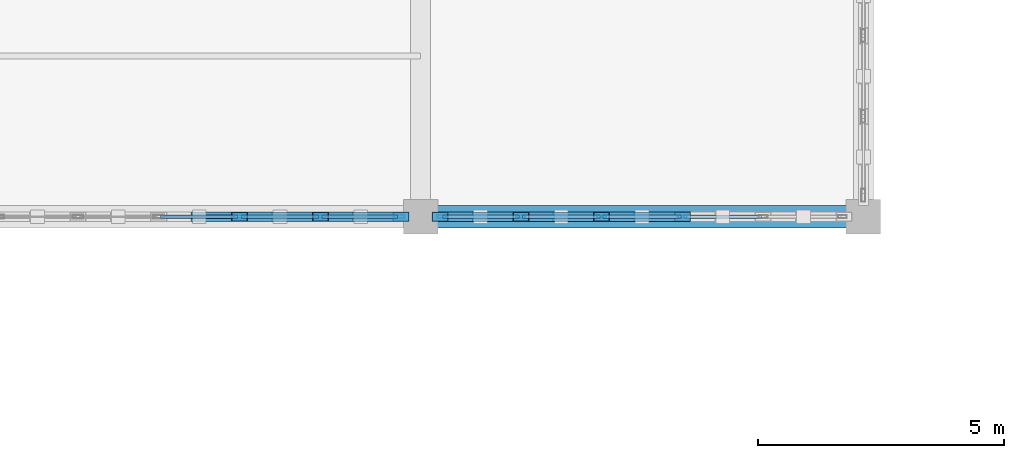
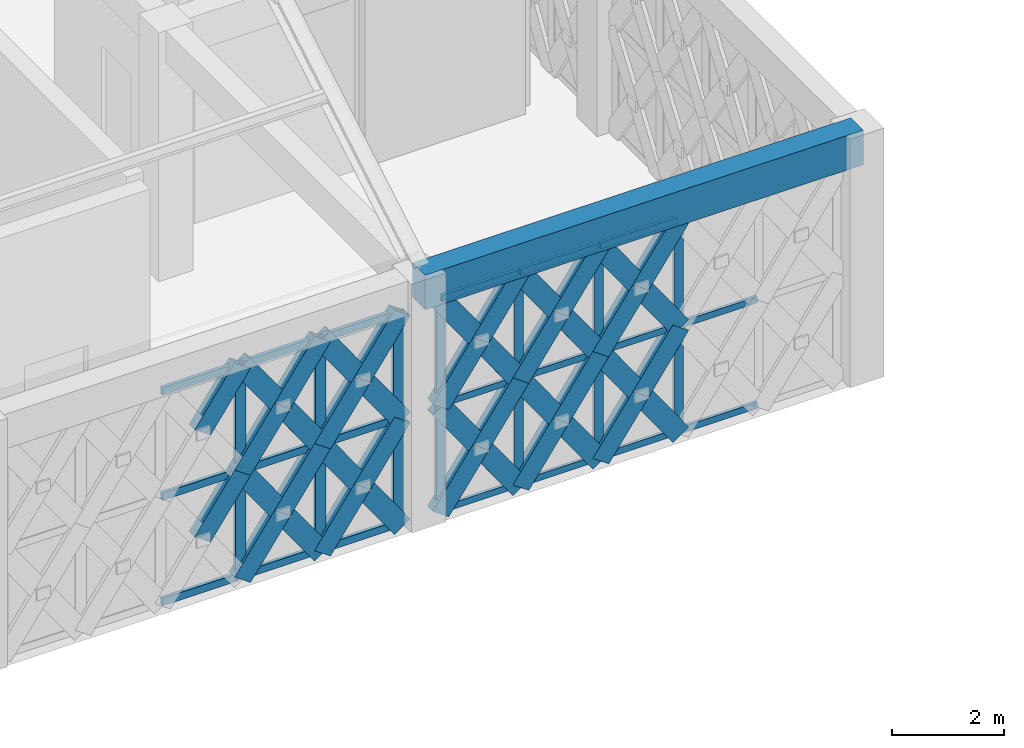
# One storey, part 45 of 72: 59 members, 1 beam, 2 elements without a shape of their own.
"""IFC4 building model written with IfcOpenShell, lengths in metres."""

import ifcopenshell
import ifcopenshell.guid

model = None  # the IFC model being written
_history = None  # IfcOwnerHistory: only IFC2X3 demands one
_inside = {}  # id of a spatial element -> (the spatial element, [elements in it])
_under = {}  # id of a project, library or spatial element -> (it, [spatial elements below it])
_declared = {}  # id of a project -> (the project, [libraries it declares])
_typed = {}  # id of a type object -> (the type object, [elements of that type])
_made_of = {}  # id of a material, layer set ... -> (it, [elements and type objects made of it])


def new_model(schema):
    """Start an empty IFC model of exactly this schema.

    Asked for "IFC4X3", IfcOpenShell would pick the latest addendum, in which some entities
    have other attributes; the version numbers below select the first issue.
    IFC2X3 requires an IfcOwnerHistory on every rooted entity: one is made here for all.
    """
    global model, _history
    if schema == "IFC4X3":
        model = ifcopenshell.file(schema_version=(4, 3, 0, 0))
    else:
        model = ifcopenshell.file(schema=schema)
    _inside.clear()
    _under.clear()
    _declared.clear()
    _typed.clear()
    _made_of.clear()
    _history = None
    if model.schema == "IFC2X3":
        org = make("IfcOrganization", Name="unknown")
        user = make(
            "IfcPersonAndOrganization",
            ThePerson=make("IfcPerson", FamilyName="unknown"),
            TheOrganization=org,
        )
        app = make(
            "IfcApplication",
            ApplicationDeveloper=org,
            Version="unknown",
            ApplicationFullName="unknown",
            ApplicationIdentifier="unknown",
        )
        _history = make(
            "IfcOwnerHistory",
            OwningUser=user,
            OwningApplication=app,
            ChangeAction="ADDED",
            CreationDate=0,
        )
    return model


def make(cls, **values):
    """One entity of the class cls with the attributes given. An attribute that is None is left unset."""
    return model.create_entity(
        cls, **{name: value for name, value in values.items() if value is not None}
    )


def rooted(cls, **values):
    """An entity with a GlobalId (a new one), such as an element, a storey or a relation."""
    return make(cls, GlobalId=ifcopenshell.guid.new(), OwnerHistory=_history, **values)


def si_unit(unit_type, name, prefix=None):
    """IfcSIUnit, for example si_unit("LENGTHUNIT", "METRE", prefix="MILLI")."""
    return make("IfcSIUnit", UnitType=unit_type, Prefix=prefix, Name=name)


def assignment(units):
    """IfcUnitAssignment: the units of a project."""
    return None if units is None else make("IfcUnitAssignment", Units=units)


def point(xyz):
    """IfcCartesianPoint."""
    return None if xyz is None else make("IfcCartesianPoint", Coordinates=xyz)


def direction(xyz):
    """IfcDirection."""
    return None if xyz is None else make("IfcDirection", DirectionRatios=xyz)


def frame(location, z_axis=None, x_axis=None):
    """IfcAxis2Placement3D, a coordinate frame: its origin and axes. An axis left out is left unset."""
    return make(
        "IfcAxis2Placement3D",
        Location=point(location),
        Axis=direction(z_axis),
        RefDirection=direction(x_axis),
    )


def frame_2d(location, x_axis=None):
    """IfcAxis2Placement2D, a coordinate frame in the plane: its origin and x axis."""
    return make(
        "IfcAxis2Placement2D", Location=point(location), RefDirection=direction(x_axis)
    )


def origin():
    """The frame at (0, 0, 0) with its axes left unset."""
    return frame((0.0, 0.0, 0.0))


def origin_2d():
    """The frame at (0, 0) in the plane with its x axis left unset."""
    return frame_2d((0.0, 0.0))


def place(relative_to, where):
    """IfcLocalPlacement: puts the frame where relative to a parent placement (None: the world)."""
    return make(
        "IfcLocalPlacement", PlacementRelTo=relative_to, RelativePlacement=where
    )


def context(
    kind, dimensions, precision=None, world=None, true_north=None, identifier=None
):
    """IfcGeometricRepresentationContext, for example the 3D "Model" context."""
    return make(
        "IfcGeometricRepresentationContext",
        ContextIdentifier=identifier,
        ContextType=kind,
        CoordinateSpaceDimension=dimensions,
        Precision=precision,
        WorldCoordinateSystem=world,
        TrueNorth=true_north,
    )


def subcontext(parent, identifier, kind, view, scale=None):
    """IfcGeometricRepresentationSubContext, for example "Body" below "Model"."""
    return make(
        "IfcGeometricRepresentationSubContext",
        ContextIdentifier=identifier,
        ContextType=kind,
        ParentContext=parent,
        TargetScale=scale,
        TargetView=view,
    )


def project(units=None, contexts=None):
    """IfcProject with its units and contexts."""
    return rooted(
        "IfcProject",
        Name="project",
        RepresentationContexts=contexts,
        UnitsInContext=assignment(units),
    )


def spatial(cls, under=None, at=None, **own):
    """A site, building, storey or space (cls), placed at a placement, below another one or the project."""
    s = rooted(cls, ObjectPlacement=at, **own)
    if under is not None:
        _under.setdefault(under.id(), (under, []))[1].append(s)
    return s


def profile(cls, at=None, kind="AREA", **sizes):
    """A parametric profile (cls). Its sizes go by their IFC names, for example OverallWidth=200.0."""
    return make(cls, ProfileType=kind, Position=at, **sizes)


def rectangle(**sizes):
    """IfcRectangleProfileDef."""
    return profile("IfcRectangleProfileDef", **sizes)


def hollow_rectangle(**sizes):
    """IfcRectangleHollowProfileDef."""
    return profile("IfcRectangleHollowProfileDef", **sizes)


def extrude(swept, where, along, depth):
    """IfcExtrudedAreaSolid: the profile swept, set in the frame where, extruded along a direction by depth."""
    return make(
        "IfcExtrudedAreaSolid",
        SweptArea=swept,
        Position=where,
        ExtrudedDirection=direction(along),
        Depth=depth,
    )


def shape(context_of_items, identifier, shape_type, items):
    """IfcShapeRepresentation: the items that make up one representation, for example the "Body"."""
    return make(
        "IfcShapeRepresentation",
        ContextOfItems=context_of_items,
        RepresentationIdentifier=identifier,
        RepresentationType=shape_type,
        Items=items,
    )


def material(Name=None, Category=None):
    """IfcMaterial."""
    return make("IfcMaterial", Name=Name, Category=Category)


def material_profile(
    of_material, cross_section, Name=None, Category=None, Priority=None
):
    """IfcMaterialProfile: a cross section and its material."""
    return make(
        "IfcMaterialProfile",
        Name=Name,
        Material=of_material,
        Profile=cross_section,
        Priority=Priority,
        Category=Category,
    )


def profile_set(profiles, Name=None, composite=None):
    """IfcMaterialProfileSet."""
    return make(
        "IfcMaterialProfileSet",
        Name=Name,
        MaterialProfiles=profiles,
        CompositeProfile=composite,
    )


def made_of(thing, what):
    """Note that an element or type object is made of a material, layer set ...; save() writes the relation."""
    if what is not None:
        _made_of.setdefault(what.id(), (what, []))[1].append(thing)
    return thing


def type_object(cls, material=None, **own):
    """A type object (cls), such as IfcWallType, which elements share."""
    return made_of(rooted(cls, **own), material)


def element(
    cls,
    number,
    at=None,
    inside=None,
    cuts=None,
    type_object=None,
    material=None,
    context=None,
    identifier="Body",
    shape_type=None,
    held_by="IfcProductDefinitionShape",
    body=None,
    shapes=None,
    **own,
):
    """One element of the class cls, such as IfcWall. Its Tag is "e" and its number.

    at: its placement. inside: the storey or other place that contains it. cuts: it is an
    opening in that element (IfcRelVoidsElement). A single representation is given by context,
    identifier, shape_type and body (its items); several are given by shapes. held_by: the class
    of the entity that holds the representations. save() writes the other relations.
    """
    e = rooted(cls, Tag="e%d" % number, ObjectPlacement=at, **own)
    if body is not None:
        shapes = [shape(context, identifier, shape_type, body)]
    if shapes is not None:
        e.Representation = make(held_by, Representations=shapes)
    if inside is not None:
        _inside.setdefault(inside.id(), (inside, []))[1].append(e)
    if cuts is not None:
        rooted(
            "IfcRelVoidsElement", RelatingBuildingElement=cuts, RelatedOpeningElement=e
        )
    if type_object is not None:
        _typed.setdefault(type_object.id(), (type_object, []))[1].append(e)
    return made_of(e, material)


def aggregate(whole, parts):
    """IfcRelAggregates: a whole, such as a stair, and the parts it consists of."""
    return rooted("IfcRelAggregates", RelatingObject=whole, RelatedObjects=parts)


def save(model, path):
    """Write the relations noted so far, then the file.

    IfcRelAggregates (storeys below a building ...), IfcRelContainedInSpatialStructure (elements
    in a storey), IfcRelDefinesByType, IfcRelAssociatesMaterial and IfcRelDeclares: one each for
    every whole, place, type object, material and project.
    """
    for whole, parts in _under.values():
        aggregate(whole, parts)
    for where, things in _inside.values():
        rooted(
            "IfcRelContainedInSpatialStructure",
            RelatedElements=things,
            RelatingStructure=where,
        )
    for kind, things in _typed.values():
        rooted("IfcRelDefinesByType", RelatedObjects=things, RelatingType=kind)
    for what, things in _made_of.values():
        rooted("IfcRelAssociatesMaterial", RelatedObjects=things, RelatingMaterial=what)
    for by, libraries in _declared.values():
        rooted("IfcRelDeclares", RelatingContext=by, RelatedDefinitions=libraries)
    model.write(path)


model = new_model("IFC4")

# Units and contexts
model_context = context("Model", 3, precision=1e-05, world=origin(), true_north=direction((0.0, 1.0)))
body_context = subcontext(model_context, "Body", "Model", "MODEL_VIEW")
ifc_project = project(units=[si_unit("LENGTHUNIT", "METRE"), si_unit("AREAUNIT", "SQUARE_METRE"), si_unit("VOLUMEUNIT", "CUBIC_METRE"), si_unit("PLANEANGLEUNIT", "RADIAN"), si_unit("MASSUNIT", "GRAM", prefix="KILO")], contexts=[model_context])

# Site, building, storey
site_placement = place(None, origin())
site = spatial("IfcSite", under=ifc_project, at=site_placement, CompositionType="ELEMENT")
building_placement = place(site_placement, origin())
building = spatial("IfcBuilding", under=site, at=building_placement, Name="Haizhuo Lancet Aquarium", CompositionType="ELEMENT")
storey_placement = place(building_placement, frame((0.0, 0.0, 21.60009765625)))
storey = spatial("IfcBuildingStorey", under=building, at=storey_placement, Name="L04", CompositionType="ELEMENT", Elevation=21.60009765625)

# Beam
ifc_material_1 = material(Name="Concrete C40/50", Category="concrete")
ifc_material_profile_1 = material_profile(ifc_material_1, rectangle(XDim=0.449951171875, YDim=0.75, at=origin_2d()), Name="RC-BM 450x750")
ifc_profile_set_1 = profile_set([ifc_material_profile_1], Name="Concrete C40/50")
beam_type = type_object("IfcBeamType", Name="BM-RC-450x750", PredefinedType="BEAM", material=ifc_profile_set_1)
beam_placement = place(storey_placement, frame((18.0, 36.0, 5.02490234375), z_axis=(1.0, 0.0, 0.0), x_axis=(0.0, 1.0, 0.0)))
element("IfcBeam", 1, at=beam_placement, inside=storey, type_object=beam_type, Name="L04 V5 primary girder BM-L04-V5-022", PredefinedType="BEAM", context=body_context, shape_type="SweptSolid", body=[
    extrude(rectangle(XDim=0.449951171875, YDim=0.75, at=origin_2d()), origin(), (0.0, 0.0, 1.0), 9.0),
])

# Curtain wall, members
ifc_material_2 = material(Name="Aluminium 6063-T6", Category="aluminium")
curtain_wall_type = type_object("IfcCurtainWallType", Name="CWD-8210x4650", PredefinedType="NOTDEFINED", material=ifc_material_2)
curtain_wall_1_placement = place(storey_placement, origin())
curtain_wall_1 = element("IfcCurtainWall", 2, at=curtain_wall_1_placement, inside=storey, type_object=curtain_wall_type, Name="L04 curtain wall CW-V5-L04-184", PredefinedType="NOTDEFINED")
ifc_material_profile_2 = material_profile(ifc_material_2, hollow_rectangle(XDim=0.06494140625, YDim=0.179931640625, WallThickness=0.00390625, at=origin_2d()), Name="ALU-M 65x180x4")
ifc_profile_set_2 = profile_set([ifc_material_profile_2], Name="Aluminium 6063-T6")
member_type_1 = type_object("IfcMemberType", Name="CW-MUL-1", PredefinedType="MULLION", material=ifc_profile_set_2)
member_1_placement = place(storey_placement, frame((23.321044921875, 36.0, 0.0), z_axis=(0.0, 0.0, 1.0), x_axis=(0.0, -1.0, 0.0)))
member_1 = element("IfcMember", 3, at=member_1_placement, type_object=member_type_1, Name="CWD-82x46 mullion 3", PredefinedType="MULLION", context=body_context, shape_type="SweptSolid", body=[
    extrude(hollow_rectangle(XDim=0.06494140625, YDim=0.179931640625, WallThickness=0.00390625, at=origin_2d()), origin(), (0.0, 0.0, 1.0), 4.64990234375),
])
member_2_placement = place(storey_placement, frame((21.678955078125, 36.0, 0.0), z_axis=(0.0, 0.0, 1.0), x_axis=(0.0, -1.0, 0.0)))
member_2 = element("IfcMember", 4, at=member_2_placement, type_object=member_type_1, Name="CWD-82x46 mullion 4", PredefinedType="MULLION", context=body_context, shape_type="SweptSolid", body=[
    extrude(hollow_rectangle(XDim=0.06494140625, YDim=0.179931640625, WallThickness=0.00390625, at=origin_2d()), origin(), (0.0, 0.0, 1.0), 4.64990234375),
])
member_3_placement = place(storey_placement, frame((20.037109375, 36.0, 0.0), z_axis=(0.0, 0.0, 1.0), x_axis=(0.0, -1.0, 0.0)))
member_3 = element("IfcMember", 5, at=member_3_placement, type_object=member_type_1, Name="CWD-82x46 mullion 5", PredefinedType="MULLION", context=body_context, shape_type="SweptSolid", body=[
    extrude(hollow_rectangle(XDim=0.06494140625, YDim=0.179931640625, WallThickness=0.00390625, at=origin_2d()), origin(), (0.0, 0.0, 1.0), 4.64990234375),
])
member_4_placement = place(storey_placement, frame((18.427978515625, 36.0, 0.0), z_axis=(0.0, 0.0, 1.0), x_axis=(0.0, -1.0, 0.0)))
member_4 = element("IfcMember", 6, at=member_4_placement, type_object=member_type_1, Name="CWD-82x46 mullion 6", PredefinedType="MULLION", context=body_context, shape_type="SweptSolid", body=[
    extrude(hollow_rectangle(XDim=0.06494140625, YDim=0.179931640625, WallThickness=0.00390625, at=origin_2d()), origin(), (0.0, 0.0, 1.0), 4.64990234375),
])

curtain_wall_2_placement = place(storey_placement, origin())
curtain_wall_2 = element("IfcCurtainWall", 7, at=curtain_wall_2_placement, inside=storey, type_object=curtain_wall_type, Name="L04 curtain wall CW-V5-L04-185", PredefinedType="NOTDEFINED")
ifc_material_profile_3 = material_profile(ifc_material_2, hollow_rectangle(XDim=0.074951171875, YDim=0.219970703125, WallThickness=0.0048828125, at=origin_2d()), Name="ALU-M 75x220x5")
ifc_profile_set_3 = profile_set([ifc_material_profile_3], Name="Aluminium 6063-T6")
member_type_2 = type_object("IfcMemberType", Name="CW-MUL-2", PredefinedType="MULLION", material=ifc_profile_set_3)
member_5_placement = place(storey_placement, frame((17.56689453125, 36.0, 0.0), z_axis=(0.0, 0.0, 1.0), x_axis=(0.0, -1.0, 0.0)))
member_5 = element("IfcMember", 8, at=member_5_placement, type_object=member_type_2, Name="CWD-82x46 mullion 1", PredefinedType="MULLION", context=body_context, shape_type="SweptSolid", body=[
    extrude(hollow_rectangle(XDim=0.074951171875, YDim=0.219970703125, WallThickness=0.0048828125, at=origin_2d()), origin(), (0.0, 0.0, 1.0), 4.64990234375),
])
member_6_placement = place(storey_placement, frame((15.962890625, 36.0, 0.0), z_axis=(0.0, 0.0, 1.0), x_axis=(0.0, -1.0, 0.0)))
member_6 = element("IfcMember", 9, at=member_6_placement, type_object=member_type_2, Name="CWD-82x46 mullion 2", PredefinedType="MULLION", context=body_context, shape_type="SweptSolid", body=[
    extrude(hollow_rectangle(XDim=0.074951171875, YDim=0.219970703125, WallThickness=0.0048828125, at=origin_2d()), origin(), (0.0, 0.0, 1.0), 4.64990234375),
])
member_7_placement = place(storey_placement, frame((14.321044921875, 36.0, 0.0), z_axis=(0.0, 0.0, 1.0), x_axis=(0.0, -1.0, 0.0)))
member_7 = element("IfcMember", 10, at=member_7_placement, type_object=member_type_2, Name="CWD-82x46 mullion 3", PredefinedType="MULLION", context=body_context, shape_type="SweptSolid", body=[
    extrude(hollow_rectangle(XDim=0.074951171875, YDim=0.219970703125, WallThickness=0.0048828125, at=origin_2d()), origin(), (0.0, 0.0, 1.0), 4.64990234375),
])

# Member
ifc_material_profile_4 = material_profile(ifc_material_2, hollow_rectangle(XDim=0.06494140625, YDim=0.139892578125, WallThickness=0.00390625, at=origin_2d()), Name="ALU-T 65x140x4")
ifc_profile_set_4 = profile_set([ifc_material_profile_4], Name="Aluminium 6063-T6")
member_type_3 = type_object("IfcMemberType", Name="CW-TRN-1", PredefinedType="NOTDEFINED", material=ifc_profile_set_4)
member_8_placement = place(storey_placement, frame((24.930908203125, 36.0, 0.032958984375), z_axis=(-1.0, 0.0, 0.0), x_axis=(0.0, -1.0, 0.0)))
member_8 = element("IfcMember", 11, at=member_8_placement, type_object=member_type_3, Name="CWD-82x46 transom 2.1", ObjectType="TRANSOM", PredefinedType="USERDEFINED", context=body_context, shape_type="SweptSolid", body=[
    extrude(hollow_rectangle(XDim=0.06494140625, YDim=0.139892578125, WallThickness=0.00390625, at=origin_2d()), origin(), (0.0, 0.0, 1.0), 1.576904296875),
])

member_9_placement = place(storey_placement, frame((24.930908203125, 36.0, 2.324951171875), z_axis=(-1.0, 0.0, 0.0), x_axis=(0.0, -1.0, 0.0)))
member_9 = element("IfcMember", 12, at=member_9_placement, type_object=member_type_3, Name="CWD-82x46 transom 2.2", ObjectType="TRANSOM", PredefinedType="USERDEFINED", context=body_context, shape_type="SweptSolid", body=[
    extrude(hollow_rectangle(XDim=0.06494140625, YDim=0.139892578125, WallThickness=0.00390625, at=origin_2d()), origin(), (0.0, 0.0, 1.0), 1.576904296875),
])

member_10_placement = place(storey_placement, frame((23.2880859375, 36.0, 0.032958984375), z_axis=(-1.0, 0.0, 0.0), x_axis=(0.0, -1.0, 0.0)))
member_10 = element("IfcMember", 13, at=member_10_placement, type_object=member_type_3, Name="CWD-82x46 transom 3.1", ObjectType="TRANSOM", PredefinedType="USERDEFINED", context=body_context, shape_type="SweptSolid", body=[
    extrude(hollow_rectangle(XDim=0.06494140625, YDim=0.139892578125, WallThickness=0.00390625, at=origin_2d()), origin(), (0.0, 0.0, 1.0), 1.576171875),
])

member_11_placement = place(storey_placement, frame((23.2880859375, 36.0, 2.324951171875), z_axis=(-1.0, 0.0, 0.0), x_axis=(0.0, -1.0, 0.0)))
member_11 = element("IfcMember", 14, at=member_11_placement, type_object=member_type_3, Name="CWD-82x46 transom 3.2", ObjectType="TRANSOM", PredefinedType="USERDEFINED", context=body_context, shape_type="SweptSolid", body=[
    extrude(hollow_rectangle(XDim=0.06494140625, YDim=0.139892578125, WallThickness=0.00390625, at=origin_2d()), origin(), (0.0, 0.0, 1.0), 1.576171875),
])

member_12_placement = place(storey_placement, frame((23.2880859375, 36.0, 4.617919921875), z_axis=(-1.0, 0.0, 0.0), x_axis=(0.0, -1.0, 0.0)))
member_12 = element("IfcMember", 15, at=member_12_placement, type_object=member_type_3, Name="CWD-82x46 transom 3.3", ObjectType="TRANSOM", PredefinedType="USERDEFINED", context=body_context, shape_type="SweptSolid", body=[
    extrude(hollow_rectangle(XDim=0.06494140625, YDim=0.139892578125, WallThickness=0.00390625, at=origin_2d()), origin(), (0.0, 0.0, 1.0), 1.576171875),
])

member_13_placement = place(storey_placement, frame((21.64599609375, 36.0, 0.032958984375), z_axis=(-1.0, 0.0, 0.0), x_axis=(0.0, -1.0, 0.0)))
member_13 = element("IfcMember", 16, at=member_13_placement, type_object=member_type_3, Name="CWD-82x46 transom 4.1", ObjectType="TRANSOM", PredefinedType="USERDEFINED", context=body_context, shape_type="SweptSolid", body=[
    extrude(hollow_rectangle(XDim=0.06494140625, YDim=0.139892578125, WallThickness=0.00390625, at=origin_2d()), origin(), (0.0, 0.0, 1.0), 1.576904296875),
])

member_14_placement = place(storey_placement, frame((21.64599609375, 36.0, 2.324951171875), z_axis=(-1.0, 0.0, 0.0), x_axis=(0.0, -1.0, 0.0)))
member_14 = element("IfcMember", 17, at=member_14_placement, type_object=member_type_3, Name="CWD-82x46 transom 4.2", ObjectType="TRANSOM", PredefinedType="USERDEFINED", context=body_context, shape_type="SweptSolid", body=[
    extrude(hollow_rectangle(XDim=0.06494140625, YDim=0.139892578125, WallThickness=0.00390625, at=origin_2d()), origin(), (0.0, 0.0, 1.0), 1.576904296875),
])

member_15_placement = place(storey_placement, frame((21.64599609375, 36.0, 4.617919921875), z_axis=(-1.0, 0.0, 0.0), x_axis=(0.0, -1.0, 0.0)))
member_15 = element("IfcMember", 18, at=member_15_placement, type_object=member_type_3, Name="CWD-82x46 transom 4.3", ObjectType="TRANSOM", PredefinedType="USERDEFINED", context=body_context, shape_type="SweptSolid", body=[
    extrude(hollow_rectangle(XDim=0.06494140625, YDim=0.139892578125, WallThickness=0.00390625, at=origin_2d()), origin(), (0.0, 0.0, 1.0), 1.576904296875),
])

member_16_placement = place(storey_placement, frame((20.0048828125, 36.0, 0.032958984375), z_axis=(-1.0, 0.0, 0.0), x_axis=(0.0, -1.0, 0.0)))
member_16 = element("IfcMember", 19, at=member_16_placement, type_object=member_type_3, Name="CWD-82x46 transom 5.1", ObjectType="TRANSOM", PredefinedType="USERDEFINED", context=body_context, shape_type="SweptSolid", body=[
    extrude(hollow_rectangle(XDim=0.06494140625, YDim=0.139892578125, WallThickness=0.00390625, at=origin_2d()), origin(), (0.0, 0.0, 1.0), 1.544921875),
])

member_17_placement = place(storey_placement, frame((20.0048828125, 36.0, 2.324951171875), z_axis=(-1.0, 0.0, 0.0), x_axis=(0.0, -1.0, 0.0)))
member_17 = element("IfcMember", 20, at=member_17_placement, type_object=member_type_3, Name="CWD-82x46 transom 5.2", ObjectType="TRANSOM", PredefinedType="USERDEFINED", context=body_context, shape_type="SweptSolid", body=[
    extrude(hollow_rectangle(XDim=0.06494140625, YDim=0.139892578125, WallThickness=0.00390625, at=origin_2d()), origin(), (0.0, 0.0, 1.0), 1.544921875),
])

member_18_placement = place(storey_placement, frame((20.0048828125, 36.0, 4.617919921875), z_axis=(-1.0, 0.0, 0.0), x_axis=(0.0, -1.0, 0.0)))
member_18 = element("IfcMember", 21, at=member_18_placement, type_object=member_type_3, Name="CWD-82x46 transom 5.3", ObjectType="TRANSOM", PredefinedType="USERDEFINED", context=body_context, shape_type="SweptSolid", body=[
    extrude(hollow_rectangle(XDim=0.06494140625, YDim=0.139892578125, WallThickness=0.00390625, at=origin_2d()), origin(), (0.0, 0.0, 1.0), 1.544921875),
])

aggregate(curtain_wall_1, [member_1, member_2, member_3, member_4, member_8, member_9, member_10, member_11, member_12, member_13, member_14, member_15, member_16, member_17, member_18])

ifc_material_profile_5 = material_profile(ifc_material_2, hollow_rectangle(XDim=0.074951171875, YDim=0.159912109375, WallThickness=0.00390625, at=origin_2d()), Name="ALU-T 75x160x4")
ifc_profile_set_5 = profile_set([ifc_material_profile_5], Name="Aluminium 6063-T6")
member_type_4 = type_object("IfcMemberType", Name="CW-TRN-2", PredefinedType="NOTDEFINED", material=ifc_profile_set_5)
member_19_placement = place(storey_placement, frame((17.530029296875, 36.0, 0.037841796875), z_axis=(-1.0, 0.0, 0.0), x_axis=(0.0, -1.0, 0.0)))
member_19 = element("IfcMember", 22, at=member_19_placement, type_object=member_type_4, Name="CWD-82x46 transom 1.1", ObjectType="TRANSOM", PredefinedType="USERDEFINED", context=body_context, shape_type="SweptSolid", body=[
    extrude(hollow_rectangle(XDim=0.074951171875, YDim=0.159912109375, WallThickness=0.00390625, at=origin_2d()), origin(), (0.0, 0.0, 1.0), 1.530029296875),
])

member_20_placement = place(storey_placement, frame((17.530029296875, 36.0, 2.324951171875), z_axis=(-1.0, 0.0, 0.0), x_axis=(0.0, -1.0, 0.0)))
member_20 = element("IfcMember", 23, at=member_20_placement, type_object=member_type_4, Name="CWD-82x46 transom 1.2", ObjectType="TRANSOM", PredefinedType="USERDEFINED", context=body_context, shape_type="SweptSolid", body=[
    extrude(hollow_rectangle(XDim=0.074951171875, YDim=0.159912109375, WallThickness=0.00390625, at=origin_2d()), origin(), (0.0, 0.0, 1.0), 1.530029296875),
])

member_21_placement = place(storey_placement, frame((17.530029296875, 36.0, 4.61181640625), z_axis=(-1.0, 0.0, 0.0), x_axis=(0.0, -1.0, 0.0)))
member_21 = element("IfcMember", 24, at=member_21_placement, type_object=member_type_4, Name="CWD-82x46 transom 1.3", ObjectType="TRANSOM", PredefinedType="USERDEFINED", context=body_context, shape_type="SweptSolid", body=[
    extrude(hollow_rectangle(XDim=0.074951171875, YDim=0.159912109375, WallThickness=0.00390625, at=origin_2d()), origin(), (0.0, 0.0, 1.0), 1.530029296875),
])

member_22_placement = place(storey_placement, frame((15.925048828125, 36.0, 0.037841796875), z_axis=(-1.0, 0.0, 0.0), x_axis=(0.0, -1.0, 0.0)))
member_22 = element("IfcMember", 25, at=member_22_placement, type_object=member_type_4, Name="CWD-82x46 transom 2.1", ObjectType="TRANSOM", PredefinedType="USERDEFINED", context=body_context, shape_type="SweptSolid", body=[
    extrude(hollow_rectangle(XDim=0.074951171875, YDim=0.159912109375, WallThickness=0.00390625, at=origin_2d()), origin(), (0.0, 0.0, 1.0), 1.567138671875),
])

member_23_placement = place(storey_placement, frame((15.925048828125, 36.0, 2.324951171875), z_axis=(-1.0, 0.0, 0.0), x_axis=(0.0, -1.0, 0.0)))
member_23 = element("IfcMember", 26, at=member_23_placement, type_object=member_type_4, Name="CWD-82x46 transom 2.2", ObjectType="TRANSOM", PredefinedType="USERDEFINED", context=body_context, shape_type="SweptSolid", body=[
    extrude(hollow_rectangle(XDim=0.074951171875, YDim=0.159912109375, WallThickness=0.00390625, at=origin_2d()), origin(), (0.0, 0.0, 1.0), 1.567138671875),
])

member_24_placement = place(storey_placement, frame((15.925048828125, 36.0, 4.61181640625), z_axis=(-1.0, 0.0, 0.0), x_axis=(0.0, -1.0, 0.0)))
member_24 = element("IfcMember", 27, at=member_24_placement, type_object=member_type_4, Name="CWD-82x46 transom 2.3", ObjectType="TRANSOM", PredefinedType="USERDEFINED", context=body_context, shape_type="SweptSolid", body=[
    extrude(hollow_rectangle(XDim=0.074951171875, YDim=0.159912109375, WallThickness=0.00390625, at=origin_2d()), origin(), (0.0, 0.0, 1.0), 1.567138671875),
])

member_25_placement = place(storey_placement, frame((14.283935546875, 36.0, 0.037841796875), z_axis=(-1.0, 0.0, 0.0), x_axis=(0.0, -1.0, 0.0)))
member_25 = element("IfcMember", 28, at=member_25_placement, type_object=member_type_4, Name="CWD-82x46 transom 3.1", ObjectType="TRANSOM", PredefinedType="USERDEFINED", context=body_context, shape_type="SweptSolid", body=[
    extrude(hollow_rectangle(XDim=0.074951171875, YDim=0.159912109375, WallThickness=0.00390625, at=origin_2d()), origin(), (0.0, 0.0, 1.0), 1.56787109375),
])

member_26_placement = place(storey_placement, frame((14.283935546875, 36.0, 2.324951171875), z_axis=(-1.0, 0.0, 0.0), x_axis=(0.0, -1.0, 0.0)))
member_26 = element("IfcMember", 29, at=member_26_placement, type_object=member_type_4, Name="CWD-82x46 transom 3.2", ObjectType="TRANSOM", PredefinedType="USERDEFINED", context=body_context, shape_type="SweptSolid", body=[
    extrude(hollow_rectangle(XDim=0.074951171875, YDim=0.159912109375, WallThickness=0.00390625, at=origin_2d()), origin(), (0.0, 0.0, 1.0), 1.56787109375),
])

member_27_placement = place(storey_placement, frame((14.283935546875, 36.0, 4.61181640625), z_axis=(-1.0, 0.0, 0.0), x_axis=(0.0, -1.0, 0.0)))
member_27 = element("IfcMember", 30, at=member_27_placement, type_object=member_type_4, Name="CWD-82x46 transom 3.3", ObjectType="TRANSOM", PredefinedType="USERDEFINED", context=body_context, shape_type="SweptSolid", body=[
    extrude(hollow_rectangle(XDim=0.074951171875, YDim=0.159912109375, WallThickness=0.00390625, at=origin_2d()), origin(), (0.0, 0.0, 1.0), 1.56787109375),
])

aggregate(curtain_wall_2, [member_5, member_6, member_7, member_19, member_20, member_21, member_22, member_23, member_24, member_25, member_26, member_27])

# Members
ifc_material_3 = material(Name="Steel S355", Category="steel")
ifc_material_profile_6 = material_profile(ifc_material_3, hollow_rectangle(XDim=0.199951171875, YDim=0.39990234375, WallThickness=0.011962890625, at=origin_2d()), Name="RHS 200x400x12")
ifc_profile_set_6 = profile_set([ifc_material_profile_6], Name="Steel S355")
member_type_5 = type_object("IfcMemberType", Name="MEM-LB-RHS200x400", PredefinedType="BRACE", material=ifc_profile_set_6)
member_28_placement = place(storey_placement, frame((23.321044921875, 36.0, 0.0), z_axis=(-0.576905431865, 0.0, 0.816810946722), x_axis=(0.0, -1.0, 0.0)))
element("IfcMember", 31, at=member_28_placement, inside=storey, type_object=member_type_5, Name="Gothic lancet continuous diagonal brace CW-V5-L04-184 5A", PredefinedType="BRACE", context=body_context, shape_type="SweptSolid", body=[
    extrude(hollow_rectangle(XDim=0.199951171875, YDim=0.39990234375, WallThickness=0.011962890625, at=origin_2d()), origin(), (0.0, 0.0, 1.0), 2.846435546875),
])
member_29_placement = place(storey_placement, frame((21.678955078125, 36.0, 0.0), z_axis=(0.576784197237, 0.0, 0.816896560048), x_axis=(0.0, 1.0, 0.0)))
element("IfcMember", 32, at=member_29_placement, inside=storey, type_object=member_type_5, Name="Gothic lancet split diagonal brace CW-V5-L04-184 5B1", PredefinedType="BRACE", context=body_context, shape_type="SweptSolid", body=[
    extrude(hollow_rectangle(XDim=0.199951171875, YDim=0.39990234375, WallThickness=0.011962890625, at=origin_2d()), origin(), (0.0, 0.0, 1.0), 1.423583984375),
])
member_30_placement = place(storey_placement, frame((22.5, 36.0, 1.162841796875), z_axis=(0.57702670475, 0.0, 0.816725279396), x_axis=(0.0, 1.0, 0.0)))
element("IfcMember", 33, at=member_30_placement, inside=storey, type_object=member_type_5, Name="Gothic lancet split diagonal brace CW-V5-L04-184 5B2", PredefinedType="BRACE", context=body_context, shape_type="SweptSolid", body=[
    extrude(hollow_rectangle(XDim=0.199951171875, YDim=0.39990234375, WallThickness=0.011962890625, at=origin_2d()), origin(), (0.0, 0.0, 1.0), 1.4228515625),
])
member_31_placement = place(storey_placement, frame((23.321044921875, 36.0, 2.324951171875), z_axis=(-0.576905431865, 0.0, 0.816810946722), x_axis=(0.0, -1.0, 0.0)))
element("IfcMember", 34, at=member_31_placement, inside=storey, type_object=member_type_5, Name="Gothic lancet continuous diagonal brace CW-V5-L04-184 6A", PredefinedType="BRACE", context=body_context, shape_type="SweptSolid", body=[
    extrude(hollow_rectangle(XDim=0.199951171875, YDim=0.39990234375, WallThickness=0.011962890625, at=origin_2d()), origin(), (0.0, 0.0, 1.0), 2.846435546875),
])
member_32_placement = place(storey_placement, frame((21.678955078125, 36.0, 2.324951171875), z_axis=(0.577107574598, 0.0, 0.816668137827), x_axis=(0.0, 1.0, 0.0)))
element("IfcMember", 35, at=member_32_placement, inside=storey, type_object=member_type_5, Name="Gothic lancet split diagonal brace CW-V5-L04-184 6B1", PredefinedType="BRACE", context=body_context, shape_type="SweptSolid", body=[
    extrude(hollow_rectangle(XDim=0.199951171875, YDim=0.39990234375, WallThickness=0.011962890625, at=origin_2d()), origin(), (0.0, 0.0, 1.0), 1.422607421875),
])
member_33_placement = place(storey_placement, frame((22.5, 36.0, 3.48681640625), z_axis=(0.576703395402, 0.0, 0.816953605618), x_axis=(0.0, 1.0, 0.0)))
element("IfcMember", 36, at=member_33_placement, inside=storey, type_object=member_type_5, Name="Gothic lancet split diagonal brace CW-V5-L04-184 6B2", PredefinedType="BRACE", context=body_context, shape_type="SweptSolid", body=[
    extrude(hollow_rectangle(XDim=0.199951171875, YDim=0.39990234375, WallThickness=0.011962890625, at=origin_2d()), origin(), (0.0, 0.0, 1.0), 1.423583984375),
])
member_34_placement = place(storey_placement, frame((21.678955078125, 36.0, 0.0), z_axis=(-0.57684820195, 0.0, 0.816851364635), x_axis=(0.0, -1.0, 0.0)))
element("IfcMember", 37, at=member_34_placement, inside=storey, type_object=member_type_5, Name="Gothic lancet continuous diagonal brace CW-V5-L04-184 7A", PredefinedType="BRACE", context=body_context, shape_type="SweptSolid", body=[
    extrude(hollow_rectangle(XDim=0.199951171875, YDim=0.39990234375, WallThickness=0.011962890625, at=origin_2d()), origin(), (0.0, 0.0, 1.0), 2.84619140625),
])
member_35_placement = place(storey_placement, frame((20.037109375, 36.0, 0.0), z_axis=(0.576669728982, 0.0, 0.816977370357), x_axis=(0.0, 1.0, 0.0)))
element("IfcMember", 38, at=member_35_placement, inside=storey, type_object=member_type_5, Name="Gothic lancet split diagonal brace CW-V5-L04-184 7B1", PredefinedType="BRACE", context=body_context, shape_type="SweptSolid", body=[
    extrude(hollow_rectangle(XDim=0.199951171875, YDim=0.39990234375, WallThickness=0.011962890625, at=origin_2d()), origin(), (0.0, 0.0, 1.0), 1.42333984375),
])
member_36_placement = place(storey_placement, frame((20.85791015625, 36.0, 1.162841796875), z_axis=(0.57702670475, 0.0, 0.816725279396), x_axis=(0.0, 1.0, 0.0)))
element("IfcMember", 39, at=member_36_placement, inside=storey, type_object=member_type_5, Name="Gothic lancet split diagonal brace CW-V5-L04-184 7B2", PredefinedType="BRACE", context=body_context, shape_type="SweptSolid", body=[
    extrude(hollow_rectangle(XDim=0.199951171875, YDim=0.39990234375, WallThickness=0.011962890625, at=origin_2d()), origin(), (0.0, 0.0, 1.0), 1.4228515625),
])
member_37_placement = place(storey_placement, frame((21.678955078125, 36.0, 2.324951171875), z_axis=(-0.57684820195, 0.0, 0.816851364635), x_axis=(0.0, -1.0, 0.0)))
element("IfcMember", 40, at=member_37_placement, inside=storey, type_object=member_type_5, Name="Gothic lancet continuous diagonal brace CW-V5-L04-184 8A", PredefinedType="BRACE", context=body_context, shape_type="SweptSolid", body=[
    extrude(hollow_rectangle(XDim=0.199951171875, YDim=0.39990234375, WallThickness=0.011962890625, at=origin_2d()), origin(), (0.0, 0.0, 1.0), 2.84619140625),
])
member_38_placement = place(storey_placement, frame((20.037109375, 36.0, 2.324951171875), z_axis=(0.576993106189, 0.0, 0.816749016167), x_axis=(0.0, 1.0, 0.0)))
element("IfcMember", 41, at=member_38_placement, inside=storey, type_object=member_type_5, Name="Gothic lancet split diagonal brace CW-V5-L04-184 8B1", PredefinedType="BRACE", context=body_context, shape_type="SweptSolid", body=[
    extrude(hollow_rectangle(XDim=0.199951171875, YDim=0.39990234375, WallThickness=0.011962890625, at=origin_2d()), origin(), (0.0, 0.0, 1.0), 1.422607421875),
])
member_39_placement = place(storey_placement, frame((20.85791015625, 36.0, 3.48681640625), z_axis=(0.576703395402, 0.0, 0.816953605618), x_axis=(0.0, 1.0, 0.0)))
element("IfcMember", 42, at=member_39_placement, inside=storey, type_object=member_type_5, Name="Gothic lancet split diagonal brace CW-V5-L04-184 8B2", PredefinedType="BRACE", context=body_context, shape_type="SweptSolid", body=[
    extrude(hollow_rectangle(XDim=0.199951171875, YDim=0.39990234375, WallThickness=0.011962890625, at=origin_2d()), origin(), (0.0, 0.0, 1.0), 1.423583984375),
])
member_40_placement = place(storey_placement, frame((20.037109375, 36.0, 0.0), z_axis=(-0.576905431865, 0.0, 0.816810946722), x_axis=(0.0, -1.0, 0.0)))
element("IfcMember", 43, at=member_40_placement, inside=storey, type_object=member_type_5, Name="Gothic lancet continuous diagonal brace CW-V5-L04-184 9A", PredefinedType="BRACE", context=body_context, shape_type="SweptSolid", body=[
    extrude(hollow_rectangle(XDim=0.199951171875, YDim=0.39990234375, WallThickness=0.011962890625, at=origin_2d()), origin(), (0.0, 0.0, 1.0), 2.846435546875),
])
member_41_placement = place(storey_placement, frame((18.39501953125, 36.0, 0.0), z_axis=(0.576784197237, 0.0, 0.816896560048), x_axis=(0.0, 1.0, 0.0)))
element("IfcMember", 44, at=member_41_placement, inside=storey, type_object=member_type_5, Name="Gothic lancet split diagonal brace CW-V5-L04-184 9B1", PredefinedType="BRACE", context=body_context, shape_type="SweptSolid", body=[
    extrude(hollow_rectangle(XDim=0.199951171875, YDim=0.39990234375, WallThickness=0.011962890625, at=origin_2d()), origin(), (0.0, 0.0, 1.0), 1.423583984375),
])
member_42_placement = place(storey_placement, frame((19.216064453125, 36.0, 1.162841796875), z_axis=(0.57702670475, 0.0, 0.816725279396), x_axis=(0.0, 1.0, 0.0)))
element("IfcMember", 45, at=member_42_placement, inside=storey, type_object=member_type_5, Name="Gothic lancet split diagonal brace CW-V5-L04-184 9B2", PredefinedType="BRACE", context=body_context, shape_type="SweptSolid", body=[
    extrude(hollow_rectangle(XDim=0.199951171875, YDim=0.39990234375, WallThickness=0.011962890625, at=origin_2d()), origin(), (0.0, 0.0, 1.0), 1.4228515625),
])
member_43_placement = place(storey_placement, frame((20.037109375, 36.0, 2.324951171875), z_axis=(-0.576905431865, 0.0, 0.816810946722), x_axis=(0.0, -1.0, 0.0)))
element("IfcMember", 46, at=member_43_placement, inside=storey, type_object=member_type_5, Name="Gothic lancet continuous diagonal brace CW-V5-L04-184 10A", PredefinedType="BRACE", context=body_context, shape_type="SweptSolid", body=[
    extrude(hollow_rectangle(XDim=0.199951171875, YDim=0.39990234375, WallThickness=0.011962890625, at=origin_2d()), origin(), (0.0, 0.0, 1.0), 2.846435546875),
])
member_44_placement = place(storey_placement, frame((18.39501953125, 36.0, 2.324951171875), z_axis=(0.577107574598, 0.0, 0.816668137827), x_axis=(0.0, 1.0, 0.0)))
element("IfcMember", 47, at=member_44_placement, inside=storey, type_object=member_type_5, Name="Gothic lancet split diagonal brace CW-V5-L04-184 10B1", PredefinedType="BRACE", context=body_context, shape_type="SweptSolid", body=[
    extrude(hollow_rectangle(XDim=0.199951171875, YDim=0.39990234375, WallThickness=0.011962890625, at=origin_2d()), origin(), (0.0, 0.0, 1.0), 1.422607421875),
])
member_45_placement = place(storey_placement, frame((19.216064453125, 36.0, 3.48681640625), z_axis=(0.576703395402, 0.0, 0.816953605618), x_axis=(0.0, 1.0, 0.0)))
element("IfcMember", 48, at=member_45_placement, inside=storey, type_object=member_type_5, Name="Gothic lancet split diagonal brace CW-V5-L04-184 10B2", PredefinedType="BRACE", context=body_context, shape_type="SweptSolid", body=[
    extrude(hollow_rectangle(XDim=0.199951171875, YDim=0.39990234375, WallThickness=0.011962890625, at=origin_2d()), origin(), (0.0, 0.0, 1.0), 1.423583984375),
])
member_46_placement = place(storey_placement, frame((17.60498046875, 36.0, 0.0), z_axis=(-0.576905431865, 0.0, 0.816810946722), x_axis=(0.0, -1.0, 0.0)))
element("IfcMember", 49, at=member_46_placement, inside=storey, type_object=member_type_5, Name="Gothic lancet continuous diagonal brace CW-V5-L04-185 1A", PredefinedType="BRACE", context=body_context, shape_type="SweptSolid", body=[
    extrude(hollow_rectangle(XDim=0.199951171875, YDim=0.39990234375, WallThickness=0.011962890625, at=origin_2d()), origin(), (0.0, 0.0, 1.0), 2.846435546875),
])
member_47_placement = place(storey_placement, frame((15.962890625, 36.0, 0.0), z_axis=(0.576784197237, 0.0, 0.816896560048), x_axis=(0.0, 1.0, 0.0)))
element("IfcMember", 50, at=member_47_placement, inside=storey, type_object=member_type_5, Name="Gothic lancet split diagonal brace CW-V5-L04-185 1B1", PredefinedType="BRACE", context=body_context, shape_type="SweptSolid", body=[
    extrude(hollow_rectangle(XDim=0.199951171875, YDim=0.39990234375, WallThickness=0.011962890625, at=origin_2d()), origin(), (0.0, 0.0, 1.0), 1.423583984375),
])
member_48_placement = place(storey_placement, frame((16.783935546875, 36.0, 1.162841796875), z_axis=(0.57702670475, 0.0, 0.816725279396), x_axis=(0.0, 1.0, 0.0)))
element("IfcMember", 51, at=member_48_placement, inside=storey, type_object=member_type_5, Name="Gothic lancet split diagonal brace CW-V5-L04-185 1B2", PredefinedType="BRACE", context=body_context, shape_type="SweptSolid", body=[
    extrude(hollow_rectangle(XDim=0.199951171875, YDim=0.39990234375, WallThickness=0.011962890625, at=origin_2d()), origin(), (0.0, 0.0, 1.0), 1.4228515625),
])
member_49_placement = place(storey_placement, frame((17.60498046875, 36.0, 2.324951171875), z_axis=(-0.576905431865, 0.0, 0.816810946722), x_axis=(0.0, -1.0, 0.0)))
element("IfcMember", 52, at=member_49_placement, inside=storey, type_object=member_type_5, Name="Gothic lancet continuous diagonal brace CW-V5-L04-185 2A", PredefinedType="BRACE", context=body_context, shape_type="SweptSolid", body=[
    extrude(hollow_rectangle(XDim=0.199951171875, YDim=0.39990234375, WallThickness=0.011962890625, at=origin_2d()), origin(), (0.0, 0.0, 1.0), 2.846435546875),
])
member_50_placement = place(storey_placement, frame((15.962890625, 36.0, 2.324951171875), z_axis=(0.577107574598, 0.0, 0.816668137827), x_axis=(0.0, 1.0, 0.0)))
element("IfcMember", 53, at=member_50_placement, inside=storey, type_object=member_type_5, Name="Gothic lancet split diagonal brace CW-V5-L04-185 2B1", PredefinedType="BRACE", context=body_context, shape_type="SweptSolid", body=[
    extrude(hollow_rectangle(XDim=0.199951171875, YDim=0.39990234375, WallThickness=0.011962890625, at=origin_2d()), origin(), (0.0, 0.0, 1.0), 1.422607421875),
])
member_51_placement = place(storey_placement, frame((16.783935546875, 36.0, 3.48681640625), z_axis=(0.576703395402, 0.0, 0.816953605618), x_axis=(0.0, 1.0, 0.0)))
element("IfcMember", 54, at=member_51_placement, inside=storey, type_object=member_type_5, Name="Gothic lancet split diagonal brace CW-V5-L04-185 2B2", PredefinedType="BRACE", context=body_context, shape_type="SweptSolid", body=[
    extrude(hollow_rectangle(XDim=0.199951171875, YDim=0.39990234375, WallThickness=0.011962890625, at=origin_2d()), origin(), (0.0, 0.0, 1.0), 1.423583984375),
])
member_52_placement = place(storey_placement, frame((15.962890625, 36.0, 0.0), z_axis=(-0.57684820195, 0.0, 0.816851364635), x_axis=(0.0, -1.0, 0.0)))
element("IfcMember", 55, at=member_52_placement, inside=storey, type_object=member_type_5, Name="Gothic lancet continuous diagonal brace CW-V5-L04-185 3A", PredefinedType="BRACE", context=body_context, shape_type="SweptSolid", body=[
    extrude(hollow_rectangle(XDim=0.199951171875, YDim=0.39990234375, WallThickness=0.011962890625, at=origin_2d()), origin(), (0.0, 0.0, 1.0), 2.84619140625),
])
member_53_placement = place(storey_placement, frame((14.321044921875, 36.0, 0.0), z_axis=(0.576784197237, 0.0, 0.816896560048), x_axis=(0.0, 1.0, 0.0)))
element("IfcMember", 56, at=member_53_placement, inside=storey, type_object=member_type_5, Name="Gothic lancet split diagonal brace CW-V5-L04-185 3B1", PredefinedType="BRACE", context=body_context, shape_type="SweptSolid", body=[
    extrude(hollow_rectangle(XDim=0.199951171875, YDim=0.39990234375, WallThickness=0.011962890625, at=origin_2d()), origin(), (0.0, 0.0, 1.0), 1.423583984375),
])
member_54_placement = place(storey_placement, frame((15.14208984375, 36.0, 1.162841796875), z_axis=(0.57691223637, 0.0, 0.816806140726), x_axis=(0.0, 1.0, 0.0)))
element("IfcMember", 57, at=member_54_placement, inside=storey, type_object=member_type_5, Name="Gothic lancet split diagonal brace CW-V5-L04-185 3B2", PredefinedType="BRACE", context=body_context, shape_type="SweptSolid", body=[
    extrude(hollow_rectangle(XDim=0.199951171875, YDim=0.39990234375, WallThickness=0.011962890625, at=origin_2d()), origin(), (0.0, 0.0, 1.0), 1.4228515625),
])
member_55_placement = place(storey_placement, frame((15.962890625, 36.0, 2.324951171875), z_axis=(-0.57684820195, 0.0, 0.816851364635), x_axis=(0.0, -1.0, 0.0)))
element("IfcMember", 58, at=member_55_placement, inside=storey, type_object=member_type_5, Name="Gothic lancet continuous diagonal brace CW-V5-L04-185 4A", PredefinedType="BRACE", context=body_context, shape_type="SweptSolid", body=[
    extrude(hollow_rectangle(XDim=0.199951171875, YDim=0.39990234375, WallThickness=0.011962890625, at=origin_2d()), origin(), (0.0, 0.0, 1.0), 2.84619140625),
])
member_56_placement = place(storey_placement, frame((14.321044921875, 36.0, 2.324951171875), z_axis=(0.577107574598, 0.0, 0.816668137827), x_axis=(0.0, 1.0, 0.0)))
element("IfcMember", 59, at=member_56_placement, inside=storey, type_object=member_type_5, Name="Gothic lancet split diagonal brace CW-V5-L04-185 4B1", PredefinedType="BRACE", context=body_context, shape_type="SweptSolid", body=[
    extrude(hollow_rectangle(XDim=0.199951171875, YDim=0.39990234375, WallThickness=0.011962890625, at=origin_2d()), origin(), (0.0, 0.0, 1.0), 1.422607421875),
])
member_57_placement = place(storey_placement, frame((15.14208984375, 36.0, 3.48681640625), z_axis=(0.576588927202, 0.0, 0.817034398926), x_axis=(0.0, 1.0, 0.0)))
element("IfcMember", 60, at=member_57_placement, inside=storey, type_object=member_type_5, Name="Gothic lancet split diagonal brace CW-V5-L04-185 4B2", PredefinedType="BRACE", context=body_context, shape_type="SweptSolid", body=[
    extrude(hollow_rectangle(XDim=0.199951171875, YDim=0.39990234375, WallThickness=0.011962890625, at=origin_2d()), origin(), (0.0, 0.0, 1.0), 1.423583984375),
])
member_58_placement = place(storey_placement, frame((13.5, 36.0, 1.162841796875), z_axis=(0.57702670475, 0.0, 0.816725279396), x_axis=(0.0, 1.0, 0.0)))
element("IfcMember", 61, at=member_58_placement, inside=storey, type_object=member_type_5, Name="Gothic lancet split diagonal brace CW-V5-L04-185 5B2", PredefinedType="BRACE", context=body_context, shape_type="SweptSolid", body=[
    extrude(hollow_rectangle(XDim=0.199951171875, YDim=0.39990234375, WallThickness=0.011962890625, at=origin_2d()), origin(), (0.0, 0.0, 1.0), 1.4228515625),
])
member_59_placement = place(storey_placement, frame((13.5, 36.0, 3.48681640625), z_axis=(0.576703395402, 0.0, 0.816953605618), x_axis=(0.0, 1.0, 0.0)))
element("IfcMember", 62, at=member_59_placement, inside=storey, type_object=member_type_5, Name="Gothic lancet split diagonal brace CW-V5-L04-185 6B2", PredefinedType="BRACE", context=body_context, shape_type="SweptSolid", body=[
    extrude(hollow_rectangle(XDim=0.199951171875, YDim=0.39990234375, WallThickness=0.011962890625, at=origin_2d()), origin(), (0.0, 0.0, 1.0), 1.423583984375),
])

save(model, "model.ifc")
